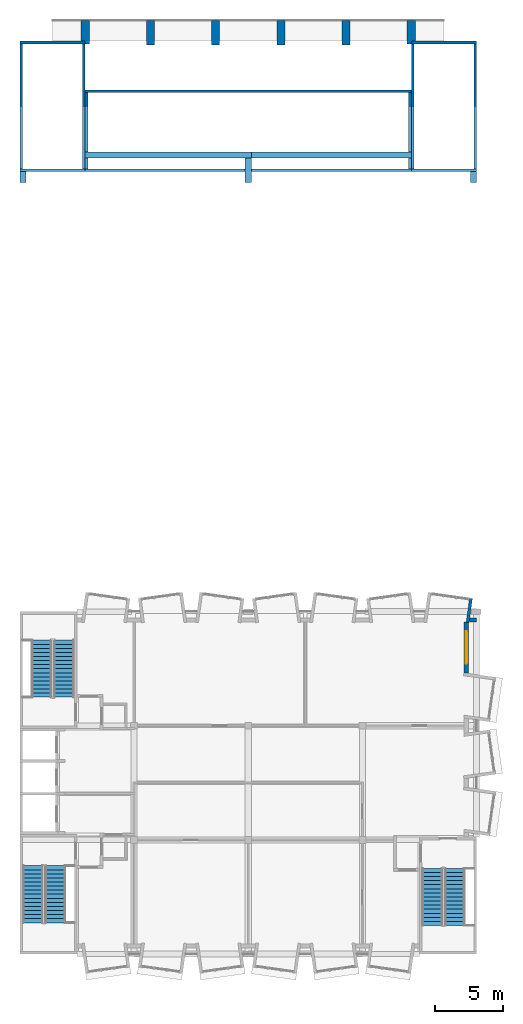
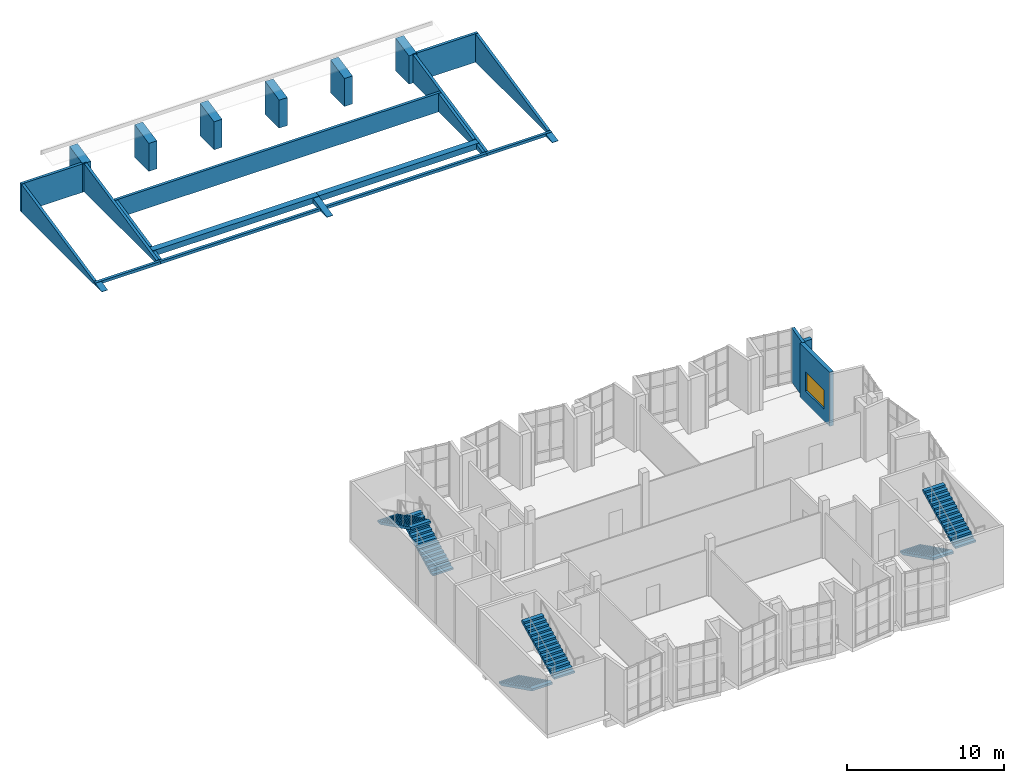
# One storey, part 13 of 18: 29 walls, 6 stair flights, 1 window, 1 opening, 3 elements without a shape of their own.
"""IFC4 building model written with IfcOpenShell, lengths in metres."""

import ifcopenshell
import ifcopenshell.guid

model = None  # the IFC model being written
_history = None  # IfcOwnerHistory: only IFC2X3 demands one
_inside = {}  # id of a spatial element -> (the spatial element, [elements in it])
_under = {}  # id of a project, library or spatial element -> (it, [spatial elements below it])
_declared = {}  # id of a project -> (the project, [libraries it declares])
_typed = {}  # id of a type object -> (the type object, [elements of that type])
_made_of = {}  # id of a material, layer set ... -> (it, [elements and type objects made of it])


def new_model(schema):
    """Start an empty IFC model of exactly this schema.

    Asked for "IFC4X3", IfcOpenShell would pick the latest addendum, in which some entities
    have other attributes; the version numbers below select the first issue.
    IFC2X3 requires an IfcOwnerHistory on every rooted entity: one is made here for all.
    """
    global model, _history
    if schema == "IFC4X3":
        model = ifcopenshell.file(schema_version=(4, 3, 0, 0))
    else:
        model = ifcopenshell.file(schema=schema)
    _inside.clear()
    _under.clear()
    _declared.clear()
    _typed.clear()
    _made_of.clear()
    _history = None
    if model.schema == "IFC2X3":
        org = make("IfcOrganization", Name="unknown")
        user = make(
            "IfcPersonAndOrganization",
            ThePerson=make("IfcPerson", FamilyName="unknown"),
            TheOrganization=org,
        )
        app = make(
            "IfcApplication",
            ApplicationDeveloper=org,
            Version="unknown",
            ApplicationFullName="unknown",
            ApplicationIdentifier="unknown",
        )
        _history = make(
            "IfcOwnerHistory",
            OwningUser=user,
            OwningApplication=app,
            ChangeAction="ADDED",
            CreationDate=0,
        )
    return model


def make(cls, **values):
    """One entity of the class cls with the attributes given. An attribute that is None is left unset."""
    return model.create_entity(
        cls, **{name: value for name, value in values.items() if value is not None}
    )


def rooted(cls, **values):
    """An entity with a GlobalId (a new one), such as an element, a storey or a relation."""
    return make(cls, GlobalId=ifcopenshell.guid.new(), OwnerHistory=_history, **values)


def si_unit(unit_type, name, prefix=None):
    """IfcSIUnit, for example si_unit("LENGTHUNIT", "METRE", prefix="MILLI")."""
    return make("IfcSIUnit", UnitType=unit_type, Prefix=prefix, Name=name)


def assignment(units):
    """IfcUnitAssignment: the units of a project."""
    return None if units is None else make("IfcUnitAssignment", Units=units)


def point(xyz):
    """IfcCartesianPoint."""
    return None if xyz is None else make("IfcCartesianPoint", Coordinates=xyz)


def direction(xyz):
    """IfcDirection."""
    return None if xyz is None else make("IfcDirection", DirectionRatios=xyz)


def frame(location, z_axis=None, x_axis=None):
    """IfcAxis2Placement3D, a coordinate frame: its origin and axes. An axis left out is left unset."""
    return make(
        "IfcAxis2Placement3D",
        Location=point(location),
        Axis=direction(z_axis),
        RefDirection=direction(x_axis),
    )


def frame_2d(location, x_axis=None):
    """IfcAxis2Placement2D, a coordinate frame in the plane: its origin and x axis."""
    return make(
        "IfcAxis2Placement2D", Location=point(location), RefDirection=direction(x_axis)
    )


def origin():
    """The frame at (0, 0, 0) with its axes left unset."""
    return frame((0.0, 0.0, 0.0))


def place(relative_to, where):
    """IfcLocalPlacement: puts the frame where relative to a parent placement (None: the world)."""
    return make(
        "IfcLocalPlacement", PlacementRelTo=relative_to, RelativePlacement=where
    )


def context(
    kind, dimensions, precision=None, world=None, true_north=None, identifier=None
):
    """IfcGeometricRepresentationContext, for example the 3D "Model" context."""
    return make(
        "IfcGeometricRepresentationContext",
        ContextIdentifier=identifier,
        ContextType=kind,
        CoordinateSpaceDimension=dimensions,
        Precision=precision,
        WorldCoordinateSystem=world,
        TrueNorth=true_north,
    )


def subcontext(parent, identifier, kind, view, scale=None):
    """IfcGeometricRepresentationSubContext, for example "Body" below "Model"."""
    return make(
        "IfcGeometricRepresentationSubContext",
        ContextIdentifier=identifier,
        ContextType=kind,
        ParentContext=parent,
        TargetScale=scale,
        TargetView=view,
    )


def project(units=None, contexts=None):
    """IfcProject with its units and contexts."""
    return rooted(
        "IfcProject",
        Name="project",
        RepresentationContexts=contexts,
        UnitsInContext=assignment(units),
    )


def spatial(cls, under=None, at=None, **own):
    """A site, building, storey or space (cls), placed at a placement, below another one or the project."""
    s = rooted(cls, ObjectPlacement=at, **own)
    if under is not None:
        _under.setdefault(under.id(), (under, []))[1].append(s)
    return s


def polyline(points):
    """IfcPolyline through the points."""
    return make("IfcPolyline", Points=[point(p) for p in points])


def profile(cls, at=None, kind="AREA", **sizes):
    """A parametric profile (cls). Its sizes go by their IFC names, for example OverallWidth=200.0."""
    return make(cls, ProfileType=kind, Position=at, **sizes)


def rectangle(**sizes):
    """IfcRectangleProfileDef."""
    return profile("IfcRectangleProfileDef", **sizes)


def outline(outer, holes=None, kind="AREA"):
    """IfcArbitraryClosedProfileDef: a profile drawn as a closed curve; with holes, ...WithVoids."""
    if holes is None:
        return make("IfcArbitraryClosedProfileDef", ProfileType=kind, OuterCurve=outer)
    return make(
        "IfcArbitraryProfileDefWithVoids",
        ProfileType=kind,
        OuterCurve=outer,
        InnerCurves=holes,
    )


def extrude(swept, where, along, depth):
    """IfcExtrudedAreaSolid: the profile swept, set in the frame where, extruded along a direction by depth."""
    return make(
        "IfcExtrudedAreaSolid",
        SweptArea=swept,
        Position=where,
        ExtrudedDirection=direction(along),
        Depth=depth,
    )


def shape(context_of_items, identifier, shape_type, items):
    """IfcShapeRepresentation: the items that make up one representation, for example the "Body"."""
    return make(
        "IfcShapeRepresentation",
        ContextOfItems=context_of_items,
        RepresentationIdentifier=identifier,
        RepresentationType=shape_type,
        Items=items,
    )


def material(Name=None, Category=None):
    """IfcMaterial."""
    return make("IfcMaterial", Name=Name, Category=Category)


def layer(
    of_material, thickness, ventilated=None, Name=None, Category=None, Priority=None
):
    """IfcMaterialLayer: one layer of a wall or slab, of a material (None: an air gap)."""
    return make(
        "IfcMaterialLayer",
        Material=of_material,
        LayerThickness=thickness,
        IsVentilated=ventilated,
        Name=Name,
        Category=Category,
        Priority=Priority,
    )


def layer_set(layers, Name=None):
    """IfcMaterialLayerSet."""
    return make("IfcMaterialLayerSet", MaterialLayers=layers, LayerSetName=Name)


def made_of(thing, what):
    """Note that an element or type object is made of a material, layer set ...; save() writes the relation."""
    if what is not None:
        _made_of.setdefault(what.id(), (what, []))[1].append(thing)
    return thing


def type_object(cls, material=None, **own):
    """A type object (cls), such as IfcWallType, which elements share."""
    return made_of(rooted(cls, **own), material)


def element(
    cls,
    number,
    at=None,
    inside=None,
    cuts=None,
    type_object=None,
    material=None,
    context=None,
    identifier="Body",
    shape_type=None,
    held_by="IfcProductDefinitionShape",
    body=None,
    shapes=None,
    **own,
):
    """One element of the class cls, such as IfcWall. Its Tag is "e" and its number.

    at: its placement. inside: the storey or other place that contains it. cuts: it is an
    opening in that element (IfcRelVoidsElement). A single representation is given by context,
    identifier, shape_type and body (its items); several are given by shapes. held_by: the class
    of the entity that holds the representations. save() writes the other relations.
    """
    e = rooted(cls, Tag="e%d" % number, ObjectPlacement=at, **own)
    if body is not None:
        shapes = [shape(context, identifier, shape_type, body)]
    if shapes is not None:
        e.Representation = make(held_by, Representations=shapes)
    if inside is not None:
        _inside.setdefault(inside.id(), (inside, []))[1].append(e)
    if cuts is not None:
        rooted(
            "IfcRelVoidsElement", RelatingBuildingElement=cuts, RelatedOpeningElement=e
        )
    if type_object is not None:
        _typed.setdefault(type_object.id(), (type_object, []))[1].append(e)
    return made_of(e, material)


def fill(opening, filler):
    """IfcRelFillsElement: the door or window that sits in an opening."""
    return rooted(
        "IfcRelFillsElement",
        RelatingOpeningElement=opening,
        RelatedBuildingElement=filler,
    )


def aggregate(whole, parts):
    """IfcRelAggregates: a whole, such as a stair, and the parts it consists of."""
    return rooted("IfcRelAggregates", RelatingObject=whole, RelatedObjects=parts)


def save(model, path):
    """Write the relations noted so far, then the file.

    IfcRelAggregates (storeys below a building ...), IfcRelContainedInSpatialStructure (elements
    in a storey), IfcRelDefinesByType, IfcRelAssociatesMaterial and IfcRelDeclares: one each for
    every whole, place, type object, material and project.
    """
    for whole, parts in _under.values():
        aggregate(whole, parts)
    for where, things in _inside.values():
        rooted(
            "IfcRelContainedInSpatialStructure",
            RelatedElements=things,
            RelatingStructure=where,
        )
    for kind, things in _typed.values():
        rooted("IfcRelDefinesByType", RelatedObjects=things, RelatingType=kind)
    for what, things in _made_of.values():
        rooted("IfcRelAssociatesMaterial", RelatedObjects=things, RelatingMaterial=what)
    for by, libraries in _declared.values():
        rooted("IfcRelDeclares", RelatingContext=by, RelatedDefinitions=libraries)
    model.write(path)


model = new_model("IFC4")

# Units and contexts
model_context = context("Model", 3, precision=1e-05, world=origin(), true_north=direction((0.0, 1.0)))
body_context = subcontext(model_context, "Body", "Model", "MODEL_VIEW")
ifc_project = project(units=[si_unit("LENGTHUNIT", "METRE"), si_unit("AREAUNIT", "SQUARE_METRE"), si_unit("VOLUMEUNIT", "CUBIC_METRE"), si_unit("PLANEANGLEUNIT", "RADIAN"), si_unit("MASSUNIT", "GRAM", prefix="KILO")], contexts=[model_context])

# Site, building, storey
site_placement = place(None, origin())
site = spatial("IfcSite", under=ifc_project, at=site_placement, CompositionType="ELEMENT")
building_placement = place(site_placement, origin())
building = spatial("IfcBuilding", under=site, at=building_placement, Name="Kiln Court Media Centre", CompositionType="ELEMENT")
storey_placement = place(building_placement, frame((0.0, 0.0, 33.60009765625)))
storey = spatial("IfcBuildingStorey", under=building, at=storey_placement, Name="L07", CompositionType="ELEMENT", Elevation=33.60009765625)

# Wall
ifc_material_1 = material(Name="Brick masonry facing leaf with RC backing", Category="masonry")
ifc_layer_1 = layer(ifc_material_1, 0.215087890625)
ifc_layer_set_1 = layer_set([ifc_layer_1], Name="Brick masonry bay cheek wall 215")
wall_type_1 = type_object("IfcWallType", Name="Brick masonry bay cheek wall 215", PredefinedType="SOLIDWALL", material=ifc_layer_set_1)
wall_1_placement = place(storey_placement, frame((32.944091796875, 24.39111328125, 0.0), z_axis=(0.0, 0.0, 1.0), x_axis=(0.139161311926, 0.990269725511, 0.0)))
element("IfcWall", 1, at=wall_1_placement, inside=storey, type_object=wall_type_1, Name="BAY V6A-N-L07-51 cheek R", PredefinedType="SOLIDWALL", context=body_context, shape_type="SweptSolid", body=[
    extrude(rectangle(XDim=1.800048828125, YDim=0.215087890625, at=frame_2d((0.89990234375, 0.0))), origin(), (0.0, 0.0, 1.0), 4.199951171875),
])

# Wall, opening, window
ifc_material_2 = material(Name="Brick masonry facing leaf with RC backing", Category="masonry")
ifc_layer_2 = layer(ifc_material_2, 0.300048828125)
ifc_layer_set_2 = layer_set([ifc_layer_2], Name="Brick masonry cavity wall 300")
wall_type_2 = type_object("IfcWallType", Name="Brick masonry cavity wall 300", PredefinedType="SOLIDWALL", material=ifc_layer_set_2)
wall_2_placement = place(storey_placement, frame((32.85009765625, 24.449951171875, 0.0), z_axis=(0.0, 0.0, 1.0), x_axis=(0.0, -1.0, 0.0)))
wall_2 = element("IfcWall", 2, at=wall_2_placement, inside=storey, type_object=wall_type_2, Name="V6A-E facade L07 3009", PredefinedType="SOLIDWALL", context=body_context, shape_type="SweptSolid", body=[
    extrude(rectangle(XDim=3.7783203125, YDim=0.300048828125, at=frame_2d((1.88916015625, 0.0))), origin(), (0.0, 0.0, 1.0), 4.199951171875),
])
opening_placement = place(wall_2_placement, frame((0.689208984375, 0.0, 0.89990234375)))
opening = element("IfcOpeningElement", 3, at=opening_placement, cuts=wall_2, Name="Opening WN7001", PredefinedType="OPENING", context=body_context, shape_type="SweptSolid", body=[
    extrude(rectangle(XDim=2.39990234375, YDim=1.5, at=frame_2d((1.199951171875, 0.75))), frame((0.0, 0.159912109375, 0.0), z_axis=(0.0, -1.0, 0.0), x_axis=(1.0, 0.0, 0.0)), (0.0, 0.0, 1.0), 0.320068359375),
])
ifc_material_3 = material(Name="Aluminium 6063-T6", Category="aluminium")
window_type = type_object("IfcWindowType", Name="Aluminium window 2400x1500", PartitioningType="TRIPLE_PANEL_VERTICAL", PredefinedType="WINDOW", material=ifc_material_3)
window_placement = place(opening_placement, origin())
window = element("IfcWindow", 4, at=window_placement, inside=storey, type_object=window_type, Name="WC window WN7001", OverallHeight=1.5, OverallWidth=2.39990234375, PartitioningType="SINGLE_PANEL", PredefinedType="WINDOW", context=body_context, shape_type="SweptSolid", body=[
    extrude(rectangle(XDim=2.39990234375, YDim=1.5, at=frame_2d((1.199951171875, 0.75))), frame((0.0, 0.030029296875, 0.0), z_axis=(0.0, -1.0, 0.0), x_axis=(1.0, 0.0, 0.0)), (0.0, 0.0, 1.0), 0.06005859375),
])
fill(opening, window)

# Walls
wall_3_placement = place(storey_placement, frame((33.081787109375, 24.60009765625, 0.0), z_axis=(0.0, 0.0, 1.0), x_axis=(1.0, 0.0, 0.0)))
element("IfcWall", 5, at=wall_3_placement, inside=storey, type_object=wall_type_2, Name="V6A-N facade L07 3031", PredefinedType="SOLIDWALL", context=body_context, shape_type="SweptSolid", body=[
    extrude(rectangle(XDim=0.518310546875, YDim=0.300048828125, at=frame_2d((0.25927734375, 0.0))), origin(), (0.0, 0.0, 1.0), 4.199951171875),
])
ifc_material_4 = material(Name="Concrete C40/50", Category="concrete")
ifc_layer_3 = layer(ifc_material_4, 0.449951171875)
ifc_layer_set_3 = layer_set([ifc_layer_3], Name="Concrete C40/50 auditorium wall 450")
wall_type_3 = type_object("IfcWallType", Name="Concrete C40/50 auditorium wall 450", PredefinedType="SHEAR", material=ifc_layer_set_3)
wall_4_placement = place(storey_placement, frame((4.800048828125, 58.800048828125, 0.0), z_axis=(0.0, 0.0, 1.0), x_axis=(1.0, 0.0, 0.0)))
element("IfcWall", 6, at=wall_4_placement, inside=storey, type_object=wall_type_3, Name="L07-W-1030", PredefinedType="SHEAR", context=body_context, shape_type="SweptSolid", body=[
    extrude(rectangle(XDim=12.224853515625, YDim=0.449951171875, at=frame_2d((6.1123046875, 0.0))), origin(), (0.0, 0.0, 1.0), 0.447509765625),
])
wall_5_placement = place(storey_placement, frame((0.225341796875, 56.788818359375, 0.0), z_axis=(0.0, 0.0, 1.0), x_axis=(0.0, 1.0, 0.0)))
element("IfcWall", 7, at=wall_5_placement, inside=storey, type_object=wall_type_3, Name="L07-W-1031", PredefinedType="SHEAR", context=body_context, shape_type="SweptSolid", body=[
    extrude(outline(polyline([(0.0, 0.0), (0.811279296875, 0.0), (0.811279296875, 0.1923828125), (0.0, 0.02001953125), (0.0, 0.0)])), frame((0.0, 0.22509765625, 0.0), z_axis=(0.0, -1.0, 0.0), x_axis=(1.0, 0.0, 0.0)), (0.0, 0.0, 1.0), 0.449951171875),
])
wall_6_placement = place(storey_placement, frame((16.800048828125, 58.574951171875, 0.0), z_axis=(0.0, 0.0, 1.0), x_axis=(0.0, -1.0, 0.0)))
element("IfcWall", 8, at=wall_6_placement, inside=storey, type_object=wall_type_3, Name="L07-W-1032", PredefinedType="SHEAR", context=body_context, shape_type="SweptSolid", body=[
    extrude(outline(polyline([(0.0, 0.0), (1.7861328125, 0.0), (1.7861328125, 0.02001953125), (0.0, 0.399658203125), (0.0, 0.0)])), frame((0.0, 0.22509765625, 0.0), z_axis=(0.0, -1.0, 0.0), x_axis=(1.0, 0.0, 0.0)), (0.0, 0.0, 1.0), 0.449951171875),
])
wall_7_placement = place(storey_placement, frame((17.02490234375, 58.800048828125, 0.0), z_axis=(0.0, 0.0, 1.0), x_axis=(1.0, 0.0, 0.0)))
element("IfcWall", 9, at=wall_7_placement, inside=storey, type_object=wall_type_3, Name="L07-W-1033", PredefinedType="SHEAR", context=body_context, shape_type="SweptSolid", body=[
    extrude(rectangle(XDim=11.775146484375, YDim=0.449951171875, at=frame_2d((5.8876953125, 0.0))), origin(), (0.0, 0.0, 1.0), 0.447509765625),
])
wall_8_placement = place(storey_placement, frame((33.375, 57.60009765625, 0.0), z_axis=(0.0, 0.0, 1.0), x_axis=(0.0, -1.0, 0.0)))
element("IfcWall", 10, at=wall_8_placement, inside=storey, type_object=wall_type_3, Name="L07-W-1034", PredefinedType="SHEAR", context=body_context, shape_type="SweptSolid", body=[
    extrude(outline(polyline([(0.0, 0.0), (0.811279296875, 0.0), (0.811279296875, 0.02001953125), (0.0, 0.1923828125), (0.0, 0.0)])), frame((0.0, 0.22509765625, 0.0), z_axis=(0.0, -1.0, 0.0), x_axis=(1.0, 0.0, 0.0)), (0.0, 0.0, 1.0), 0.449951171875),
])
ifc_material_5 = material(Name="Concrete C40/50", Category="concrete")
ifc_layer_4 = layer(ifc_material_5, 0.60009765625)
ifc_layer_set_4 = layer_set([ifc_layer_4], Name="Concrete C40/50 cast rib 600x1500")
wall_type_4 = type_object("IfcWallType", Name="Concrete C40/50 cast rib 600x1500", PredefinedType="SOLIDWALL", material=ifc_layer_set_4)
wall_9_placement = place(storey_placement, frame((4.800048828125, 67.0, 0.0), z_axis=(0.0, 0.0, 1.0), x_axis=(0.0, 1.0, 0.0)))
element("IfcWall", 11, at=wall_9_placement, inside=storey, type_object=wall_type_4, Name="V4 N cast rib 1", PredefinedType="SOLIDWALL", context=body_context, shape_type="SweptSolid", body=[
    extrude(outline(polyline([(0.0, 0.0), (1.699951171875, 0.0), (1.699951171875, 2.560546875), (0.0, 2.19921875), (0.0, 0.0)])), frame((0.0, 0.300048828125, 0.0), z_axis=(0.0, -1.0, 0.0), x_axis=(1.0, 0.0, 0.0)), (0.0, 0.0, 1.0), 0.60009765625),
])
for number, where, z_axis, x_axis, name in (
    (12, (9.60009765625, 66.89990234375, 0.0), (0.0, 0.0, 1.0), (0.0, 1.0, 0.0), "V4 N cast rib 2"),
    (13, (14.39990234375, 66.89990234375, 0.0), (0.0, 0.0, 1.0), (0.0, 1.0, 0.0), "V4 N cast rib 3"),
    (14, (19.199951171875, 66.89990234375, 0.0), (0.0, 0.0, 1.0), (0.0, 1.0, 0.0), "V4 N cast rib 4"),
    (15, (24.0, 66.89990234375, 0.0), (0.0, 0.0, 1.0), (0.0, 1.0, 0.0), "V4 N cast rib 5"),
):
    element("IfcWall", number, at=place(storey_placement, frame(where, z_axis=z_axis, x_axis=x_axis)), inside=storey, type_object=wall_type_4, Name=name, PredefinedType="SOLIDWALL", context=body_context, shape_type="SweptSolid", body=[
        extrude(outline(polyline([(0.0, 0.0), (1.800048828125, 0.0), (1.800048828125, 2.560546875), (0.0, 2.177978515625), (0.0, 0.0)])), frame((0.0, 0.300048828125, 0.0), z_axis=(0.0, -1.0, 0.0), x_axis=(1.0, 0.0, 0.0)), (0.0, 0.0, 1.0), 0.60009765625),
    ])
wall_10_placement = place(storey_placement, frame((28.800048828125, 67.0, 0.0), z_axis=(0.0, 0.0, 1.0), x_axis=(0.0, 1.0, 0.0)))
element("IfcWall", 16, at=wall_10_placement, inside=storey, type_object=wall_type_4, Name="V4 N cast rib 6", PredefinedType="SOLIDWALL", context=body_context, shape_type="SweptSolid", body=[
    extrude(outline(polyline([(0.0, 0.0), (1.699951171875, 0.0), (1.699951171875, 2.560546875), (0.0, 2.19921875), (0.0, 0.0)])), frame((0.0, 0.300048828125, 0.0), z_axis=(0.0, -1.0, 0.0), x_axis=(1.0, 0.0, 0.0)), (0.0, 0.0, 1.0), 0.60009765625),
])
ifc_material_6 = material(Name="Concrete C40/50", Category="concrete")
ifc_layer_5 = layer(ifc_material_6, 0.199951171875)
ifc_layer_set_5 = layer_set([ifc_layer_5], Name="Concrete C40/50 shear wall 200")
wall_type_5 = type_object("IfcWallType", Name="Concrete C40/50 shear wall 200", PredefinedType="SHEAR", material=ifc_layer_set_5)
wall_11_placement = place(storey_placement, frame((4.800048828125, 57.699951171875, 0.0), z_axis=(0.0, 0.0, 1.0), x_axis=(-1.0, 0.0, 0.0)))
element("IfcWall", 17, at=wall_11_placement, inside=storey, type_object=wall_type_5, Name="L07-W-1012", PredefinedType="SHEAR", context=body_context, shape_type="SweptSolid", body=[
    extrude(rectangle(XDim=4.799560546875, YDim=0.199951171875, at=frame_2d((2.39990234375, 0.0))), origin(), (0.0, 0.0, 1.0), 0.213623046875),
])
wall_12_placement = place(storey_placement, frame((0.00048828125, 67.10009765625, 0.0), z_axis=(0.0, 0.0, 1.0), x_axis=(1.0, 0.0, 0.0)))
element("IfcWall", 18, at=wall_12_placement, inside=storey, type_object=wall_type_5, Name="L07-W-1013", PredefinedType="SHEAR", context=body_context, shape_type="SweptSolid", body=[
    extrude(rectangle(XDim=4.799560546875, YDim=0.199951171875, at=frame_2d((2.39990234375, 0.0))), origin(), (0.0, 0.0, 1.0), 2.211669921875),
])
wall_13_placement = place(storey_placement, frame((0.100341796875, 57.800048828125, 0.0), z_axis=(0.0, 0.0, 1.0), x_axis=(0.0, 1.0, 0.0)))
element("IfcWall", 19, at=wall_13_placement, inside=storey, type_object=wall_type_5, Name="L07-W-1014", PredefinedType="SHEAR", context=body_context, shape_type="SweptSolid", body=[
    extrude(outline(polyline([(0.0, 0.0), (9.199951171875, 0.0), (9.199951171875, 2.1904296875), (0.0, 0.23486328125), (0.0, 0.0)])), frame((0.0, 0.10009765625, 0.0), z_axis=(0.0, -1.0, 0.0), x_axis=(1.0, 0.0, 0.0)), (0.0, 0.0, 1.0), 0.199951171875),
])
wall_14_placement = place(storey_placement, frame((4.699951171875, 67.0, 0.0), z_axis=(0.0, 0.0, 1.0), x_axis=(0.0, -1.0, 0.0)))
element("IfcWall", 20, at=wall_14_placement, inside=storey, type_object=wall_type_5, Name="L07-W-1015", PredefinedType="SHEAR", context=body_context, shape_type="SweptSolid", body=[
    extrude(outline(polyline([(0.0, 0.0), (9.199951171875, 0.0), (9.199951171875, 0.23486328125), (0.0, 2.1904296875), (0.0, 0.0)])), frame((0.0, 0.10009765625, 0.0), z_axis=(0.0, -1.0, 0.0), x_axis=(1.0, 0.0, 0.0)), (0.0, 0.0, 1.0), 0.199951171875),
])
wall_15_placement = place(storey_placement, frame((33.60009765625, 57.699951171875, 0.0), z_axis=(0.0, 0.0, 1.0), x_axis=(-1.0, 0.0, 0.0)))
element("IfcWall", 21, at=wall_15_placement, inside=storey, type_object=wall_type_5, Name="L07-W-1016", PredefinedType="SHEAR", context=body_context, shape_type="SweptSolid", body=[
    extrude(rectangle(XDim=4.800048828125, YDim=0.199951171875, at=frame_2d((2.39990234375, 0.0))), origin(), (0.0, 0.0, 1.0), 0.213623046875),
])
wall_16_placement = place(storey_placement, frame((28.800048828125, 67.10009765625, 0.0), z_axis=(0.0, 0.0, 1.0), x_axis=(1.0, 0.0, 0.0)))
element("IfcWall", 22, at=wall_16_placement, inside=storey, type_object=wall_type_5, Name="L07-W-1017", PredefinedType="SHEAR", context=body_context, shape_type="SweptSolid", body=[
    extrude(rectangle(XDim=4.800048828125, YDim=0.199951171875, at=frame_2d((2.39990234375, 0.0))), origin(), (0.0, 0.0, 1.0), 2.211669921875),
])
wall_17_placement = place(storey_placement, frame((28.89990234375, 57.800048828125, 0.0), z_axis=(0.0, 0.0, 1.0), x_axis=(0.0, 1.0, 0.0)))
element("IfcWall", 23, at=wall_17_placement, inside=storey, type_object=wall_type_5, Name="L07-W-1018", PredefinedType="SHEAR", context=body_context, shape_type="SweptSolid", body=[
    extrude(outline(polyline([(0.0, 0.0), (9.199951171875, 0.0), (9.199951171875, 2.1904296875), (0.0, 0.23486328125), (0.0, 0.0)])), frame((0.0, 0.10009765625, 0.0), z_axis=(0.0, -1.0, 0.0), x_axis=(1.0, 0.0, 0.0)), (0.0, 0.0, 1.0), 0.199951171875),
])
wall_18_placement = place(storey_placement, frame((33.5, 67.0, 0.0), z_axis=(0.0, 0.0, 1.0), x_axis=(0.0, -1.0, 0.0)))
element("IfcWall", 24, at=wall_18_placement, inside=storey, type_object=wall_type_5, Name="L07-W-1019", PredefinedType="SHEAR", context=body_context, shape_type="SweptSolid", body=[
    extrude(outline(polyline([(0.0, 0.0), (9.199951171875, 0.0), (9.199951171875, 0.23486328125), (0.0, 2.1904296875), (0.0, 0.0)])), frame((0.0, 0.10009765625, 0.0), z_axis=(0.0, -1.0, 0.0), x_axis=(1.0, 0.0, 0.0)), (0.0, 0.0, 1.0), 0.199951171875),
])
wall_19_placement = place(storey_placement, frame((16.574951171875, 57.699951171875, 0.0), z_axis=(0.0, 0.0, 1.0), x_axis=(-1.0, 0.0, 0.0)))
element("IfcWall", 25, at=wall_19_placement, inside=storey, type_object=wall_type_5, Name="L07-W-1035", PredefinedType="SHEAR", context=body_context, shape_type="SweptSolid", body=[
    extrude(rectangle(XDim=11.77490234375, YDim=0.199951171875, at=frame_2d((5.887451171875, 0.0))), origin(), (0.0, 0.0, 1.0), 0.213623046875),
])
wall_20_placement = place(storey_placement, frame((28.800048828125, 57.699951171875, 0.0), z_axis=(0.0, 0.0, 1.0), x_axis=(-1.0, 0.0, 0.0)))
element("IfcWall", 26, at=wall_20_placement, inside=storey, type_object=wall_type_5, Name="L07-W-1036", PredefinedType="SHEAR", context=body_context, shape_type="SweptSolid", body=[
    extrude(rectangle(XDim=11.775146484375, YDim=0.199951171875, at=frame_2d((5.8876953125, 0.0))), origin(), (0.0, 0.0, 1.0), 0.213623046875),
])
wall_21_placement = place(storey_placement, frame((4.800048828125, 63.5, 0.0), z_axis=(0.0, 0.0, 1.0), x_axis=(1.0, 0.0, 0.0)))
element("IfcWall", 27, at=wall_21_placement, inside=storey, type_object=wall_type_5, Name="L07-W-1037", PredefinedType="SHEAR", context=body_context, shape_type="SweptSolid", body=[
    extrude(rectangle(XDim=24.0, YDim=0.199951171875, at=frame_2d((12.0, 0.0))), origin(), (0.0, 0.0, 1.0), 1.4462890625),
])
wall_22_placement = place(storey_placement, frame((4.89990234375, 57.800048828125, 0.0), z_axis=(0.0, 0.0, 1.0), x_axis=(0.0, 1.0, 0.0)))
element("IfcWall", 28, at=wall_22_placement, inside=storey, type_object=wall_type_5, Name="L07-W-1038", PredefinedType="SHEAR", context=body_context, shape_type="SweptSolid", body=[
    extrude(outline(polyline([(0.0, 0.0), (0.77490234375, 0.0), (0.77490234375, 0.399658203125), (0.0, 0.23486328125), (0.0, 0.0)])), frame((0.0, 0.10009765625, 0.0), z_axis=(0.0, -1.0, 0.0), x_axis=(1.0, 0.0, 0.0)), (0.0, 0.0, 1.0), 0.199951171875),
])
wall_23_placement = place(storey_placement, frame((4.89990234375, 59.02490234375, 0.0), z_axis=(0.0, 0.0, 1.0), x_axis=(0.0, 1.0, 0.0)))
element("IfcWall", 29, at=wall_23_placement, inside=storey, type_object=wall_type_5, Name="L07-W-1039", PredefinedType="SHEAR", context=body_context, shape_type="SweptSolid", body=[
    extrude(outline(polyline([(0.0, 0.0), (4.375, 0.0), (4.375, 1.42529296875), (0.0, 0.495361328125), (0.0, 0.0)])), frame((0.0, 0.10009765625, 0.0), z_axis=(0.0, -1.0, 0.0), x_axis=(1.0, 0.0, 0.0)), (0.0, 0.0, 1.0), 0.199951171875),
])
wall_24_placement = place(storey_placement, frame((28.699951171875, 58.574951171875, 0.0), z_axis=(0.0, 0.0, 1.0), x_axis=(0.0, -1.0, 0.0)))
element("IfcWall", 30, at=wall_24_placement, inside=storey, type_object=wall_type_5, Name="L07-W-1040", PredefinedType="SHEAR", context=body_context, shape_type="SweptSolid", body=[
    extrude(outline(polyline([(0.0, 0.0), (0.77490234375, 0.0), (0.77490234375, 0.23486328125), (0.0, 0.399658203125), (0.0, 0.0)])), frame((0.0, 0.10009765625, 0.0), z_axis=(0.0, -1.0, 0.0), x_axis=(1.0, 0.0, 0.0)), (0.0, 0.0, 1.0), 0.199951171875),
])
wall_25_placement = place(storey_placement, frame((28.699951171875, 63.39990234375, 0.0), z_axis=(0.0, 0.0, 1.0), x_axis=(0.0, -1.0, 0.0)))
element("IfcWall", 31, at=wall_25_placement, inside=storey, type_object=wall_type_5, Name="L07-W-1041", PredefinedType="SHEAR", context=body_context, shape_type="SweptSolid", body=[
    extrude(outline(polyline([(0.0, 0.0), (4.375, 0.0), (4.375, 0.495361328125), (0.0, 1.42529296875), (0.0, 0.0)])), frame((0.0, 0.10009765625, 0.0), z_axis=(0.0, -1.0, 0.0), x_axis=(1.0, 0.0, 0.0)), (0.0, 0.0, 1.0), 0.199951171875),
])

# Stair, stair flights
ifc_material_7 = material(Name="Concrete C40/50", Category="concrete")
stair_type = type_object("IfcStairType", Name="Concrete C40/50 dog-leg stair 1500 wide, 150 riser", PredefinedType="HALF_TURN_STAIR", material=ifc_material_7)
stair_1_placement = place(storey_placement, origin())
stair_1 = element("IfcStair", 32, at=stair_1_placement, inside=storey, type_object=stair_type, Name="ST-01 L07", PredefinedType="HALF_TURN_STAIR")
ifc_material_8 = material(Name="Concrete C40/50", Category="concrete")
stair_flight_type = type_object("IfcStairFlightType", Name="Concrete C40/50 stair flight 1500 wide, 150 riser, 300 going", PredefinedType="STRAIGHT", material=ifc_material_8)
stair_flight_1_placement = place(storey_placement, frame((0.949951171875, 6.5, 0.0), z_axis=(0.0, 0.0, 1.0), x_axis=(0.0, -1.0, 0.0)))
stair_flight_1 = element("IfcStairFlight", 33, at=stair_flight_1_placement, type_object=stair_flight_type, Name="L07-ST-5000 flight 5000", NumberOfRisers=15, NumberOfTreads=14, PredefinedType="STRAIGHT", RiserHeight=0.15, TreadLength=0.3, context=body_context, shape_type="SweptSolid", body=[
    extrude(outline(polyline([(0.0, 0.0), (0.0, 0.14990234375), (0.300048828125, 0.14990234375), (0.300048828125, 0.300048828125), (0.60009765625, 0.300048828125), (0.60009765625, 0.449951171875), (0.89990234375, 0.449951171875), (0.89990234375, 0.60009765625), (1.199951171875, 0.60009765625), (1.199951171875, 0.75), (1.5, 0.75), (1.5, 0.89990234375), (1.800048828125, 0.89990234375), (1.800048828125, 1.050048828125), (2.10009765625, 1.050048828125), (2.10009765625, 1.199951171875), (2.39990234375, 1.199951171875), (2.39990234375, 1.35009765625), (2.699951171875, 1.35009765625), (2.699951171875, 1.5), (3.0, 1.5), (3.0, 1.64990234375), (3.300048828125, 1.64990234375), (3.300048828125, 1.800048828125), (3.60009765625, 1.800048828125), (3.60009765625, 1.949951171875), (3.89990234375, 1.949951171875), (3.89990234375, 2.10009765625), (4.199951171875, 2.10009765625), (4.199951171875, 2.25), (4.199951171875, 1.932373046875), (0.335205078125, 0.0), (0.0, 0.0)])), frame((0.0, 0.75, 0.0), z_axis=(0.0, -1.0, 0.0), x_axis=(1.0, 0.0, 0.0)), (0.0, 0.0, 1.0), 1.5),
])
stair_flight_2_placement = place(storey_placement, frame((2.60009765625, 2.300048828125, 2.25), z_axis=(0.0, 0.0, 1.0), x_axis=(0.0, 1.0, 0.0)))
stair_flight_2 = element("IfcStairFlight", 34, at=stair_flight_2_placement, type_object=stair_flight_type, Name="L07-ST-5000 flight 5001", NumberOfRisers=15, NumberOfTreads=14, PredefinedType="STRAIGHT", RiserHeight=0.15, TreadLength=0.3, context=body_context, shape_type="SweptSolid", body=[
    extrude(outline(polyline([(0.0, 0.0), (0.0, 0.14990234375), (0.300048828125, 0.14990234375), (0.300048828125, 0.300048828125), (0.60009765625, 0.300048828125), (0.60009765625, 0.449951171875), (0.89990234375, 0.449951171875), (0.89990234375, 0.60009765625), (1.199951171875, 0.60009765625), (1.199951171875, 0.75), (1.5, 0.75), (1.5, 0.89990234375), (1.800048828125, 0.89990234375), (1.800048828125, 1.050048828125), (2.10009765625, 1.050048828125), (2.10009765625, 1.199951171875), (2.39990234375, 1.199951171875), (2.39990234375, 1.35009765625), (2.699951171875, 1.35009765625), (2.699951171875, 1.5), (3.0, 1.5), (3.0, 1.64990234375), (3.300048828125, 1.64990234375), (3.300048828125, 1.800048828125), (3.60009765625, 1.800048828125), (3.60009765625, 1.949951171875), (3.89990234375, 1.949951171875), (3.89990234375, 2.10009765625), (4.199951171875, 2.10009765625), (4.199951171875, 2.25), (4.199951171875, 1.932373046875), (0.335205078125, 0.0), (0.0, 0.0)])), frame((0.0, 0.75, 0.0), z_axis=(0.0, -1.0, 0.0), x_axis=(1.0, 0.0, 0.0)), (0.0, 0.0, 1.0), 1.5),
])
aggregate(stair_1, [stair_flight_1, stair_flight_2])

stair_2_placement = place(storey_placement, origin())
stair_2 = element("IfcStair", 35, at=stair_2_placement, inside=storey, type_object=stair_type, Name="ST-02 L07", PredefinedType="HALF_TURN_STAIR")
stair_flight_3_placement = place(storey_placement, frame((3.25, 18.89990234375, 0.0), z_axis=(0.0, 0.0, 1.0), x_axis=(0.0, 1.0, 0.0)))
stair_flight_3 = element("IfcStairFlight", 36, at=stair_flight_3_placement, type_object=stair_flight_type, Name="L07-ST-5001 flight 5002", NumberOfRisers=15, NumberOfTreads=14, PredefinedType="STRAIGHT", RiserHeight=0.15, TreadLength=0.3, context=body_context, shape_type="SweptSolid", body=[
    extrude(outline(polyline([(0.0, 0.0), (0.0, 0.14990234375), (0.300048828125, 0.14990234375), (0.300048828125, 0.300048828125), (0.60009765625, 0.300048828125), (0.60009765625, 0.449951171875), (0.89990234375, 0.449951171875), (0.89990234375, 0.60009765625), (1.199951171875, 0.60009765625), (1.199951171875, 0.75), (1.5, 0.75), (1.5, 0.89990234375), (1.800048828125, 0.89990234375), (1.800048828125, 1.050048828125), (2.10009765625, 1.050048828125), (2.10009765625, 1.199951171875), (2.39990234375, 1.199951171875), (2.39990234375, 1.35009765625), (2.699951171875, 1.35009765625), (2.699951171875, 1.5), (3.0, 1.5), (3.0, 1.64990234375), (3.300048828125, 1.64990234375), (3.300048828125, 1.800048828125), (3.60009765625, 1.800048828125), (3.60009765625, 1.949951171875), (3.89990234375, 1.949951171875), (3.89990234375, 2.10009765625), (4.199951171875, 2.10009765625), (4.199951171875, 2.25), (4.199951171875, 1.932373046875), (0.335205078125, 0.0), (0.0, 0.0)])), frame((0.0, 0.75, 0.0), z_axis=(0.0, -1.0, 0.0), x_axis=(1.0, 0.0, 0.0)), (0.0, 0.0, 1.0), 1.5),
])
stair_flight_4_placement = place(storey_placement, frame((1.60009765625, 23.10009765625, 2.25), z_axis=(0.0, 0.0, 1.0), x_axis=(0.0, -1.0, 0.0)))
stair_flight_4 = element("IfcStairFlight", 37, at=stair_flight_4_placement, type_object=stair_flight_type, Name="L07-ST-5001 flight 5003", NumberOfRisers=15, NumberOfTreads=14, PredefinedType="STRAIGHT", RiserHeight=0.15, TreadLength=0.3, context=body_context, shape_type="SweptSolid", body=[
    extrude(outline(polyline([(0.0, 0.0), (0.0, 0.14990234375), (0.300048828125, 0.14990234375), (0.300048828125, 0.300048828125), (0.60009765625, 0.300048828125), (0.60009765625, 0.449951171875), (0.89990234375, 0.449951171875), (0.89990234375, 0.60009765625), (1.199951171875, 0.60009765625), (1.199951171875, 0.75), (1.5, 0.75), (1.5, 0.89990234375), (1.800048828125, 0.89990234375), (1.800048828125, 1.050048828125), (2.10009765625, 1.050048828125), (2.10009765625, 1.199951171875), (2.39990234375, 1.199951171875), (2.39990234375, 1.35009765625), (2.699951171875, 1.35009765625), (2.699951171875, 1.5), (3.0, 1.5), (3.0, 1.64990234375), (3.300048828125, 1.64990234375), (3.300048828125, 1.800048828125), (3.60009765625, 1.800048828125), (3.60009765625, 1.949951171875), (3.89990234375, 1.949951171875), (3.89990234375, 2.10009765625), (4.199951171875, 2.10009765625), (4.199951171875, 2.25), (4.199951171875, 1.932373046875), (0.335205078125, 0.0), (0.0, 0.0)])), frame((0.0, 0.75, 0.0), z_axis=(0.0, -1.0, 0.0), x_axis=(1.0, 0.0, 0.0)), (0.0, 0.0, 1.0), 1.5),
])
aggregate(stair_2, [stair_flight_3, stair_flight_4])

stair_3_placement = place(storey_placement, origin())
stair_3 = element("IfcStair", 38, at=stair_3_placement, inside=storey, type_object=stair_type, Name="ST-03 L07", PredefinedType="HALF_TURN_STAIR")
stair_flight_5_placement = place(storey_placement, frame((30.35009765625, 6.300048828125, 0.0), z_axis=(0.0, 0.0, 1.0), x_axis=(0.0, -1.0, 0.0)))
stair_flight_5 = element("IfcStairFlight", 39, at=stair_flight_5_placement, type_object=stair_flight_type, Name="L07-ST-5002 flight 5004", NumberOfRisers=15, NumberOfTreads=14, PredefinedType="STRAIGHT", RiserHeight=0.15, TreadLength=0.3, context=body_context, shape_type="SweptSolid", body=[
    extrude(outline(polyline([(0.0, 0.0), (0.0, 0.14990234375), (0.300048828125, 0.14990234375), (0.300048828125, 0.300048828125), (0.60009765625, 0.300048828125), (0.60009765625, 0.449951171875), (0.89990234375, 0.449951171875), (0.89990234375, 0.60009765625), (1.199951171875, 0.60009765625), (1.199951171875, 0.75), (1.5, 0.75), (1.5, 0.89990234375), (1.800048828125, 0.89990234375), (1.800048828125, 1.050048828125), (2.10009765625, 1.050048828125), (2.10009765625, 1.199951171875), (2.39990234375, 1.199951171875), (2.39990234375, 1.35009765625), (2.699951171875, 1.35009765625), (2.699951171875, 1.5), (3.0, 1.5), (3.0, 1.64990234375), (3.300048828125, 1.64990234375), (3.300048828125, 1.800048828125), (3.60009765625, 1.800048828125), (3.60009765625, 1.949951171875), (3.89990234375, 1.949951171875), (3.89990234375, 2.10009765625), (4.199951171875, 2.10009765625), (4.199951171875, 2.25), (4.199951171875, 1.932373046875), (0.335205078125, 0.0), (0.0, 0.0)])), frame((0.0, 0.75, 0.0), z_axis=(0.0, -1.0, 0.0), x_axis=(1.0, 0.0, 0.0)), (0.0, 0.0, 1.0), 1.5),
])
stair_flight_6_placement = place(storey_placement, frame((32.0, 2.10009765625, 2.25), z_axis=(0.0, 0.0, 1.0), x_axis=(0.0, 1.0, 0.0)))
stair_flight_6 = element("IfcStairFlight", 40, at=stair_flight_6_placement, type_object=stair_flight_type, Name="L07-ST-5002 flight 5005", NumberOfRisers=15, NumberOfTreads=14, PredefinedType="STRAIGHT", RiserHeight=0.15, TreadLength=0.3, context=body_context, shape_type="SweptSolid", body=[
    extrude(outline(polyline([(0.0, 0.0), (0.0, 0.14990234375), (0.300048828125, 0.14990234375), (0.300048828125, 0.300048828125), (0.60009765625, 0.300048828125), (0.60009765625, 0.449951171875), (0.89990234375, 0.449951171875), (0.89990234375, 0.60009765625), (1.199951171875, 0.60009765625), (1.199951171875, 0.75), (1.5, 0.75), (1.5, 0.89990234375), (1.800048828125, 0.89990234375), (1.800048828125, 1.050048828125), (2.10009765625, 1.050048828125), (2.10009765625, 1.199951171875), (2.39990234375, 1.199951171875), (2.39990234375, 1.35009765625), (2.699951171875, 1.35009765625), (2.699951171875, 1.5), (3.0, 1.5), (3.0, 1.64990234375), (3.300048828125, 1.64990234375), (3.300048828125, 1.800048828125), (3.60009765625, 1.800048828125), (3.60009765625, 1.949951171875), (3.89990234375, 1.949951171875), (3.89990234375, 2.10009765625), (4.199951171875, 2.10009765625), (4.199951171875, 2.25), (4.199951171875, 1.932373046875), (0.335205078125, 0.0), (0.0, 0.0)])), frame((0.0, 0.75, 0.0), z_axis=(0.0, -1.0, 0.0), x_axis=(1.0, 0.0, 0.0)), (0.0, 0.0, 1.0), 1.5),
])
aggregate(stair_3, [stair_flight_5, stair_flight_6])

save(model, "model.ifc")
